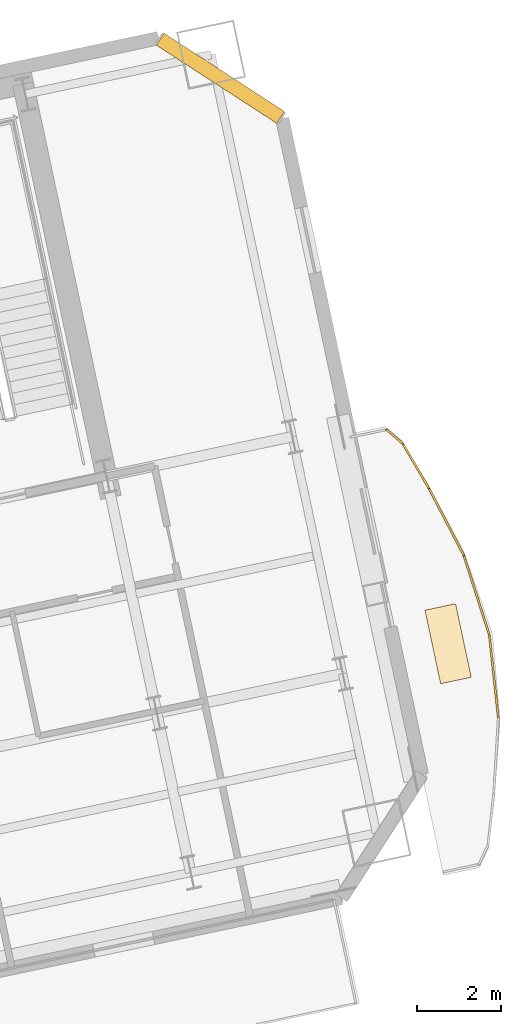
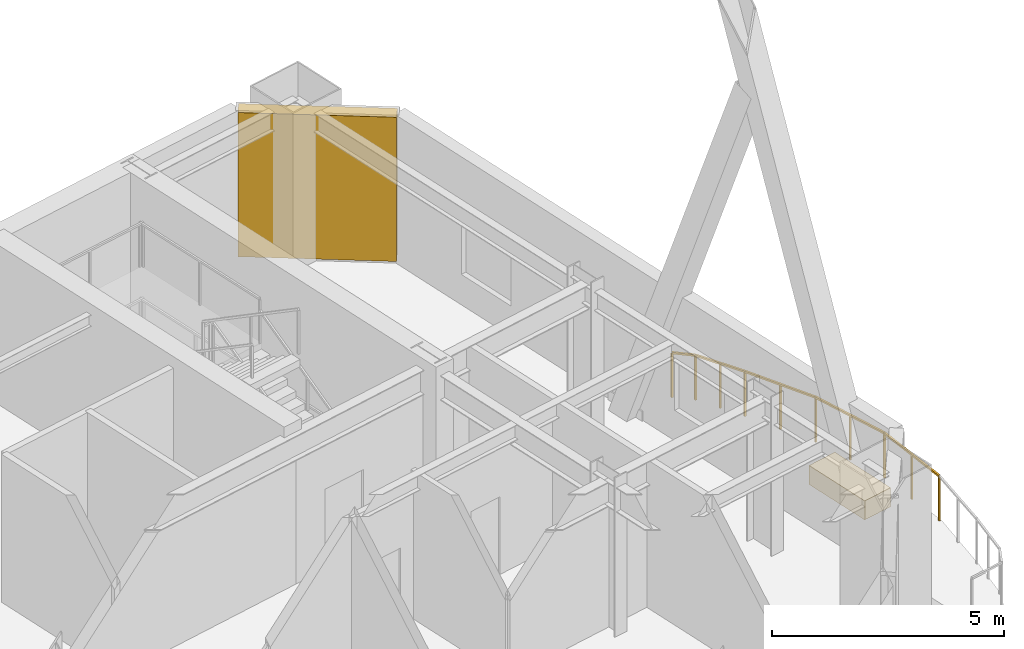
# One storey, part 22 of 22: 5 railings, 1 covering, 1 shading device.
"""IFC4 building model written with IfcOpenShell, lengths in metres."""

from ifc_helpers import new_model, si_unit, direction, frame, origin, origin_2d, place, context, subcontext, project, spatial, rectangle, extrude, material, layer, layer_set, type_object, element, save


model = new_model("IFC4")

# Units and contexts
model_context = context("Model", 3, precision=1e-05, world=origin(), true_north=direction((0.0, 1.0)))
body_context = subcontext(model_context, "Body", "Model", "MODEL_VIEW")
ifc_project = project(units=[si_unit("LENGTHUNIT", "METRE"), si_unit("AREAUNIT", "SQUARE_METRE"), si_unit("VOLUMEUNIT", "CUBIC_METRE"), si_unit("PLANEANGLEUNIT", "RADIAN"), si_unit("MASSUNIT", "GRAM", prefix="KILO")], contexts=[model_context])

# Site, building, storey
site_placement = place(None, origin())
site = spatial("IfcSite", under=ifc_project, at=site_placement, CompositionType="ELEMENT")
building_placement = place(site_placement, origin())
building = spatial("IfcBuilding", under=site, at=building_placement, Name="Haevon Station Towers", CompositionType="ELEMENT")
storey_placement = place(building_placement, frame((0.0, 0.0, 133.800048828125)))
storey = spatial("IfcBuildingStorey", under=building, at=storey_placement, Name="L36", CompositionType="ELEMENT", Elevation=133.800048828125)

# Railings
ifc_material_1 = material(Name="Steel S355", Category="steel")
railing_type = type_object("IfcRailingType", Name="GRD-EXT1200", PredefinedType="GUARDRAIL", material=ifc_material_1)
railing_1_placement = place(storey_placement, frame((128.677978515625, 36.015869140625, 0.0)))
element("IfcRailing", 1, at=railing_1_placement, inside=storey, type_object=railing_type, Name="L36 Perimeter Guardrail 5", PredefinedType="GUARDRAIL", context=body_context, shape_type="SweptSolid", body=[
    extrude(rectangle(XDim=0.048095703125, YDim=0.048095703125, at=origin_2d()), frame((0.0, 0.0, 1.17578125), z_axis=(-0.107406933296, 0.994215143055, 0.0), x_axis=(-0.994215143055, -0.107406933296, 0.0)), (0.0, 0.0, 1.0), 2.00244140625),
    extrude(rectangle(XDim=0.0419921875, YDim=0.0419921875, at=origin_2d()), origin(), (0.0, 0.0, 1.0), 1.15185546875),
    extrude(rectangle(XDim=0.0419921875, YDim=0.0419921875, at=origin_2d()), frame((-0.107421875, 0.99560546875, 0.0)), (0.0, 0.0, 1.0), 1.15185546875),
    extrude(rectangle(XDim=0.0419921875, YDim=0.0419921875, at=origin_2d()), frame((-0.215087890625, 1.990966796875, 0.0)), (0.0, 0.0, 1.0), 1.15185546875),
])
railing_2_placement = place(storey_placement, frame((128.462890625, 38.0068359375, 0.0)))
element("IfcRailing", 2, at=railing_2_placement, inside=storey, type_object=railing_type, Name="L36 Perimeter Guardrail 6", PredefinedType="GUARDRAIL", context=body_context, shape_type="SweptSolid", body=[
    extrude(rectangle(XDim=0.048095703125, YDim=0.048095703125, at=origin_2d()), frame((0.0, 0.0, 1.17578125), z_axis=(-0.30622620624, 0.951958775689, 0.0), x_axis=(-0.951958775689, -0.30622620624, 0.0)), (0.0, 0.0, 1.0), 2.002685546875),
    extrude(rectangle(XDim=0.0419921875, YDim=0.0419921875, at=origin_2d()), origin(), (0.0, 0.0, 1.0), 1.15185546875),
    extrude(rectangle(XDim=0.0419921875, YDim=0.0419921875, at=origin_2d()), frame((-0.306640625, 0.953125, 0.0)), (0.0, 0.0, 1.0), 1.15185546875),
    extrude(rectangle(XDim=0.0419921875, YDim=0.0419921875, at=origin_2d()), frame((-0.61328125, 1.906494140625, 0.0)), (0.0, 0.0, 1.0), 1.15185546875),
])
railing_3_placement = place(storey_placement, frame((127.849609375, 39.913330078125, 0.0)))
element("IfcRailing", 3, at=railing_3_placement, inside=storey, type_object=railing_type, Name="L36 Perimeter Guardrail 7", PredefinedType="GUARDRAIL", context=body_context, shape_type="SweptSolid", body=[
    extrude(rectangle(XDim=0.048095703125, YDim=0.048095703125, at=origin_2d()), frame((0.0, 0.0, 1.17578125), z_axis=(-0.460958133013, 0.887421883666, 0.0), x_axis=(-0.887421883666, -0.460958133013, 0.0)), (0.0, 0.0, 1.0), 1.811767578125),
    extrude(rectangle(XDim=0.0419921875, YDim=0.0419921875, at=origin_2d()), origin(), (0.0, 0.0, 1.0), 1.15185546875),
    extrude(rectangle(XDim=0.0419921875, YDim=0.0419921875, at=origin_2d()), frame((-0.41748046875, 0.803955078125, 0.0)), (0.0, 0.0, 1.0), 1.15185546875),
    extrude(rectangle(XDim=0.0419921875, YDim=0.0419921875, at=origin_2d()), frame((-0.835205078125, 1.60791015625, 0.0)), (0.0, 0.0, 1.0), 1.15185546875),
])
railing_4_placement = place(storey_placement, frame((127.014404296875, 41.521240234375, 0.0)))
element("IfcRailing", 4, at=railing_4_placement, inside=storey, type_object=railing_type, Name="L36 Perimeter Guardrail 8", PredefinedType="GUARDRAIL", context=body_context, shape_type="SweptSolid", body=[
    extrude(rectangle(XDim=0.048095703125, YDim=0.048095703125, at=origin_2d()), frame((0.0, 0.0, 1.17578125), z_axis=(-0.505617882781, 0.862757530603, 0.0), x_axis=(-0.862757530603, -0.505617882781, 0.0)), (0.0, 0.0, 1.0), 1.233154296875),
    extrude(rectangle(XDim=0.0419921875, YDim=0.0419921875, at=origin_2d()), origin(), (0.0, 0.0, 1.0), 1.15185546875),
    extrude(rectangle(XDim=0.0419921875, YDim=0.0419921875, at=origin_2d()), frame((-0.311767578125, 0.531982421875, 0.0)), (0.0, 0.0, 1.0), 1.15185546875),
    extrude(rectangle(XDim=0.0419921875, YDim=0.0419921875, at=origin_2d()), frame((-0.62353515625, 1.06396484375, 0.0)), (0.0, 0.0, 1.0), 1.15185546875),
])
railing_5_placement = place(storey_placement, frame((126.390869140625, 42.585205078125, 0.0)))
element("IfcRailing", 5, at=railing_5_placement, inside=storey, type_object=railing_type, Name="L36 Perimeter Guardrail 9", PredefinedType="GUARDRAIL", context=body_context, shape_type="SweptSolid", body=[
    extrude(rectangle(XDim=0.048095703125, YDim=0.048095703125, at=origin_2d()), frame((0.0, 0.0, 1.17578125), z_axis=(-0.756173188117, 0.654371537869, 0.0), x_axis=(-0.654371537869, -0.756173188117, 0.0)), (0.0, 0.0, 1.0), 0.515625),
    extrude(rectangle(XDim=0.0419921875, YDim=0.0419921875, at=origin_2d()), origin(), (0.0, 0.0, 1.0), 1.15185546875),
    extrude(rectangle(XDim=0.0419921875, YDim=0.0419921875, at=origin_2d()), frame((-0.389892578125, 0.33740234375, 0.0)), (0.0, 0.0, 1.0), 1.15185546875),
])

# Covering
ifc_material_2 = material(Name="Architectural planter GRC", Category="concrete")
ifc_layer_1 = layer(ifc_material_2, 0.550048828125)
ifc_layer_set_1 = layer_set([ifc_layer_1], Name="Architectural planter GRC")
covering_type = type_object("IfcCoveringType", Name="PLN-GRC550", PredefinedType="MOLDING", material=ifc_layer_set_1)
covering_placement = place(storey_placement, frame((127.47509765625, 37.796875, 0.0), z_axis=(0.0, 0.0, 1.0), x_axis=(0.978147600734, 0.207911690818, 0.0)))
element("IfcCovering", 6, at=covering_placement, inside=storey, type_object=covering_type, Name="Tower 2 L36 Scalloped Balcony PLANTER", PredefinedType="MOLDING", context=body_context, shape_type="SweptSolid", body=[
    extrude(rectangle(XDim=0.75, YDim=1.800048828125, at=origin_2d()), origin(), (0.0, 0.0, 1.0), 0.5),
])

# Shading device
ifc_material_3 = material(Name="Anodised aluminium 6063-T6", Category="aluminium")
ifc_layer_2 = layer(ifc_material_3, 0.139892578125)
ifc_layer_set_2 = layer_set([ifc_layer_2], Name="Anodised aluminium 6063-T6")
shading_device_type = type_object("IfcShadingDeviceType", Name="SHD-WIND-BAFFLE", PredefinedType="SHUTTER", material=ifc_layer_set_2)
shading_device_placement = place(storey_placement, frame((122.022705078125, 51.334228515625, 0.0498046875), z_axis=(0.0, 0.0, 1.0), x_axis=(0.838670603544, -0.544638980197, 0.0)))
element("IfcShadingDevice", 7, at=shading_device_placement, inside=storey, type_object=shading_device_type, Name="Tower 2 L36 Wind-Corner Aerofoil Baffle NEC", PredefinedType="SHUTTER", context=body_context, shape_type="SweptSolid", body=[
    extrude(rectangle(XDim=3.435546875, YDim=0.340087890625, at=origin_2d()), origin(), (0.0, 0.0, 1.0), 3.800048828125),
])

save(model, "model.ifc")
